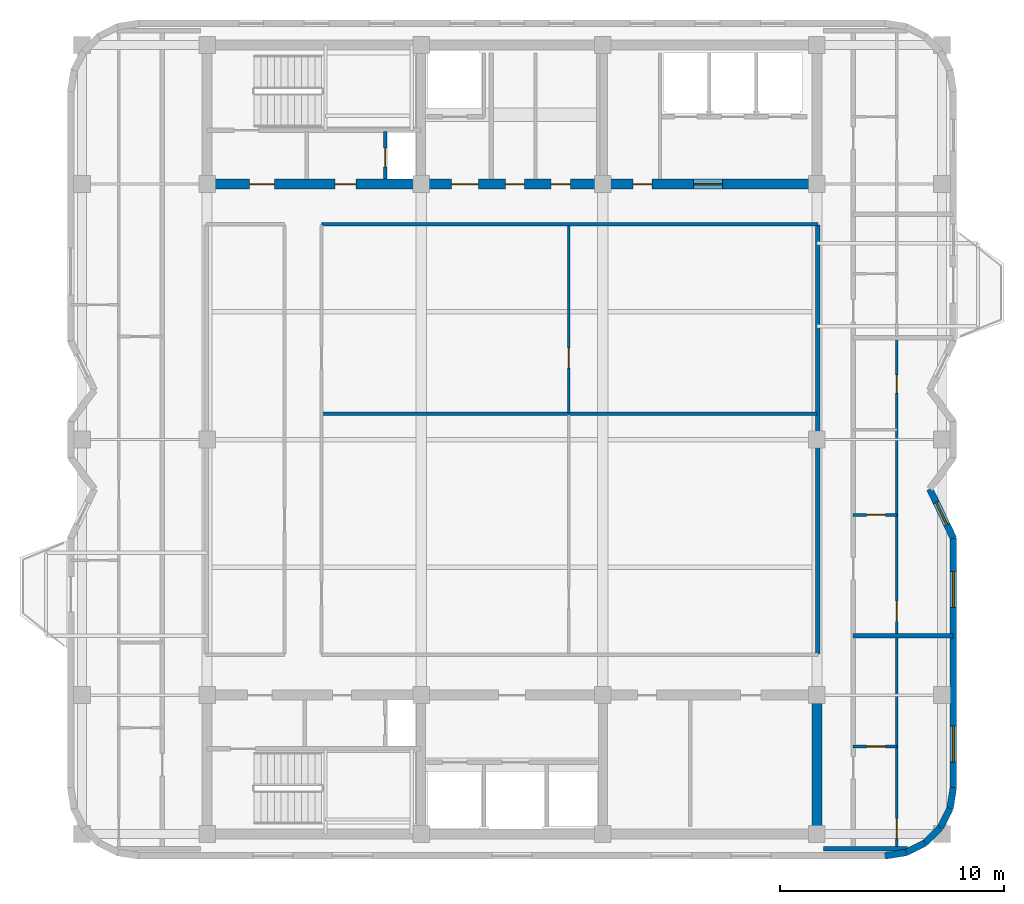
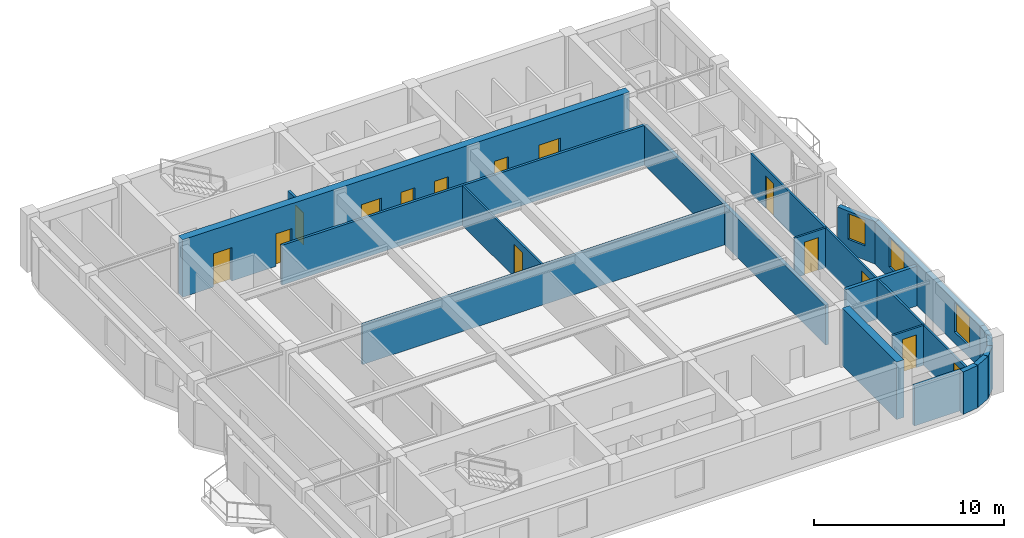
# One storey, part 4 of 8: 20 walls, 14 doors, 3 windows, 17 openings.
"""IFC4 building model written with IfcOpenShell, lengths in metres."""

from ifc_helpers import new_model, si_unit, direction, frame, frame_2d, origin, place, context, subcontext, project, spatial, rectangle, extrude, material, layer, layer_set, type_object, element, fill, save


model = new_model("IFC4")

# Units and contexts
model_context = context("Model", 3, precision=1e-05, world=origin(), true_north=direction((0.0, 1.0)))
body_context = subcontext(model_context, "Body", "Model", "MODEL_VIEW")
ifc_project = project(units=[si_unit("LENGTHUNIT", "METRE"), si_unit("AREAUNIT", "SQUARE_METRE"), si_unit("VOLUMEUNIT", "CUBIC_METRE"), si_unit("PLANEANGLEUNIT", "RADIAN"), si_unit("MASSUNIT", "GRAM", prefix="KILO")], contexts=[model_context])

# Site, building, storey
site_placement = place(None, origin())
site = spatial("IfcSite", under=ifc_project, at=site_placement, CompositionType="ELEMENT")
building_placement = place(site_placement, origin())
building = spatial("IfcBuilding", under=site, at=building_placement, Name="Svetorya Sky Lyceum", CompositionType="ELEMENT")
storey_placement = place(building_placement, frame((0.0, 0.0, 278.699951171875)))
storey = spatial("IfcBuildingStorey", under=building, at=storey_placement, Name="L70", CompositionType="ELEMENT", Elevation=278.699951171875)

# Wall
ifc_material_1 = material(Name="Concrete C50/60", Category="concrete")
ifc_layer_1 = layer(ifc_material_1, 0.449951171875)
ifc_layer_set_1 = layer_set([ifc_layer_1], Name="Concrete C50/60")
wall_type_1 = type_object("IfcWallType", Name="WL-CORE-450", PredefinedType="SHEAR", material=ifc_layer_set_1)
wall_1_placement = place(storey_placement, frame((52.800048828125, 10.824951171875, 0.0), z_axis=(0.0, 0.0, 1.0), x_axis=(0.0, 1.0, 0.0)))
element("IfcWall", 1, at=wall_1_placement, inside=storey, type_object=wall_type_1, Name="L70 SC East Core Shear Wall", PredefinedType="SHEAR", context=body_context, shape_type="SweptSolid", body=[
    extrude(rectangle(XDim=5.75, YDim=0.449951171875, at=frame_2d((2.875, 0.0))), origin(), (0.0, 0.0, 1.0), 3.699951171875),
])

# Wall, openings, doors
wall_2_placement = place(storey_placement, frame((52.800048828125, 39.60009765625, 0.0), z_axis=(0.0, 0.0, 1.0), x_axis=(-1.0, 0.0, 0.0)))
wall_2 = element("IfcWall", 2, at=wall_2_placement, inside=storey, type_object=wall_type_1, Name="L70 NC Inner Core Shear Wall", PredefinedType="SHEAR", context=body_context, shape_type="SweptSolid", body=[
    extrude(rectangle(XDim=27.199951171875, YDim=0.449951171875, at=frame_2d((13.60009765625, 0.0))), origin(), (0.0, 0.0, 1.0), 3.699951171875),
])
opening_1_placement = place(wall_2_placement, frame((24.199951171875, 0.0, 0.0)))
opening_1 = element("IfcOpeningElement", 3, at=opening_1_placement, cuts=wall_2, Name="Opening D-ST1", PredefinedType="OPENING", context=body_context, shape_type="SweptSolid", body=[
    extrude(rectangle(XDim=1.10009765625, YDim=2.14990234375, at=frame_2d((0.550048828125, 1.074951171875))), frame((0.0, 0.23486328125, 0.0), z_axis=(0.0, -1.0, 0.0), x_axis=(1.0, 0.0, 0.0)), (0.0, 0.0, 1.0), 0.469970703125),
])
opening_2_placement = place(wall_2_placement, frame((20.550048828125, 0.0, 0.0)))
opening_2 = element("IfcOpeningElement", 4, at=opening_2_placement, cuts=wall_2, Name="Opening D-CAC1", PredefinedType="OPENING", context=body_context, shape_type="SweptSolid", body=[
    extrude(rectangle(XDim=0.949951171875, YDim=2.10009765625, at=frame_2d((0.47509765625, 1.050048828125))), frame((0.0, 0.23486328125, 0.0), z_axis=(0.0, -1.0, 0.0), x_axis=(1.0, 0.0, 0.0)), (0.0, 0.0, 1.0), 0.469970703125),
])
opening_3_placement = place(wall_2_placement, frame((15.10009765625, 0.0, 0.0)))
opening_3 = element("IfcOpeningElement", 5, at=opening_3_placement, cuts=wall_2, Name="Opening D-FL1", PredefinedType="OPENING", context=body_context, shape_type="SweptSolid", body=[
    extrude(rectangle(XDim=1.199951171875, YDim=2.14990234375, at=frame_2d((0.60009765625, 1.074951171875))), frame((0.0, 0.23486328125, 0.0), z_axis=(0.0, -1.0, 0.0), x_axis=(1.0, 0.0, 0.0)), (0.0, 0.0, 1.0), 0.469970703125),
])
opening_4_placement = place(wall_2_placement, frame((13.050048828125, 0.0, 0.0)))
opening_4 = element("IfcOpeningElement", 6, at=opening_4_placement, cuts=wall_2, Name="Opening D-CWC1", PredefinedType="OPENING", context=body_context, shape_type="SweptSolid", body=[
    extrude(rectangle(XDim=0.85009765625, YDim=2.10009765625, at=frame_2d((0.425048828125, 1.050048828125))), frame((0.0, 0.23486328125, 0.0), z_axis=(0.0, -1.0, 0.0), x_axis=(1.0, 0.0, 0.0)), (0.0, 0.0, 1.0), 0.469970703125),
])
opening_5_placement = place(wall_2_placement, frame((11.0, 0.0, 0.0)))
opening_5 = element("IfcOpeningElement", 7, at=opening_5_placement, cuts=wall_2, Name="Opening D-CWC1", PredefinedType="OPENING", context=body_context, shape_type="SweptSolid", body=[
    extrude(rectangle(XDim=0.85009765625, YDim=2.10009765625, at=frame_2d((0.425048828125, 1.050048828125))), frame((0.0, 0.23486328125, 0.0), z_axis=(0.0, -1.0, 0.0), x_axis=(1.0, 0.0, 0.0)), (0.0, 0.0, 1.0), 0.469970703125),
])
opening_6_placement = place(wall_2_placement, frame((7.35009765625, 0.0, 0.0)))
opening_6 = element("IfcOpeningElement", 8, at=opening_6_placement, cuts=wall_2, Name="Opening D-CWC1", PredefinedType="OPENING", context=body_context, shape_type="SweptSolid", body=[
    extrude(rectangle(XDim=0.85009765625, YDim=2.10009765625, at=frame_2d((0.425048828125, 1.050048828125))), frame((0.0, 0.23486328125, 0.0), z_axis=(0.0, -1.0, 0.0), x_axis=(1.0, 0.0, 0.0)), (0.0, 0.0, 1.0), 0.469970703125),
])
opening_7_placement = place(wall_2_placement, frame((4.199951171875, 0.0, 0.0)))
opening_7 = element("IfcOpeningElement", 9, at=opening_7_placement, cuts=wall_2, Name="Opening D-LB1", PredefinedType="OPENING", context=body_context, shape_type="SweptSolid", body=[
    extrude(rectangle(XDim=1.300048828125, YDim=2.199951171875, at=frame_2d((0.64990234375, 1.10009765625))), frame((0.0, 0.23486328125, 0.0), z_axis=(0.0, -1.0, 0.0), x_axis=(1.0, 0.0, 0.0)), (0.0, 0.0, 1.0), 0.469970703125),
])
ifc_material_2 = material(Name="Fire-rated galvanized steel core accessible WC door", Category="steel")
door_type_1 = type_object("IfcDoorType", Name="DR-CACC-950", OperationType="SINGLE_SWING_LEFT", PredefinedType="DOOR", material=ifc_material_2)
door_1_placement = place(opening_2_placement, origin())
door_1 = element("IfcDoor", 10, at=door_1_placement, inside=storey, type_object=door_type_1, Name="L70 North Core Accessible WC Door", OperationType="SINGLE_SWING_RIGHT", OverallHeight=2.10009765625, OverallWidth=0.949951171875, PredefinedType="DOOR", context=body_context, shape_type="SweptSolid", body=[
    extrude(rectangle(XDim=0.949951171875, YDim=2.10009765625, at=frame_2d((0.47509765625, 1.050048828125))), frame((0.0, 0.02490234375, 0.0), z_axis=(0.0, -1.0, 0.0), x_axis=(1.0, 0.0, 0.0)), (0.0, 0.0, 1.0), 0.050048828125),
])
fill(opening_2, door_1)
ifc_material_3 = material(Name="Fire-rated galvanized steel core service closet door", Category="steel")
door_type_2 = type_object("IfcDoorType", Name="DR-CWET-850", OperationType="SINGLE_SWING_LEFT", PredefinedType="DOOR", material=ifc_material_3)
door_2_placement = place(opening_4_placement, origin())
door_2 = element("IfcDoor", 11, at=door_2_placement, inside=storey, type_object=door_type_2, Name="L70 Upper Linen Door", OperationType="SINGLE_SWING_LEFT", OverallHeight=2.10009765625, OverallWidth=0.85009765625, PredefinedType="DOOR", context=body_context, shape_type="SweptSolid", body=[
    extrude(rectangle(XDim=0.85009765625, YDim=2.10009765625, at=frame_2d((0.425048828125, 1.050048828125))), frame((0.0, 0.02490234375, 0.0), z_axis=(0.0, -1.0, 0.0), x_axis=(1.0, 0.0, 0.0)), (0.0, 0.0, 1.0), 0.050048828125),
])
fill(opening_4, door_2)
door_3_placement = place(opening_5_placement, origin())
door_3 = element("IfcDoor", 12, at=door_3_placement, inside=storey, type_object=door_type_2, Name="L70 Upper Laundry Door", OperationType="SINGLE_SWING_RIGHT", OverallHeight=2.10009765625, OverallWidth=0.85009765625, PredefinedType="DOOR", context=body_context, shape_type="SweptSolid", body=[
    extrude(rectangle(XDim=0.85009765625, YDim=2.10009765625, at=frame_2d((0.425048828125, 1.050048828125))), frame((0.0, 0.02490234375, 0.0), z_axis=(0.0, -1.0, 0.0), x_axis=(1.0, 0.0, 0.0)), (0.0, 0.0, 1.0), 0.050048828125),
])
fill(opening_5, door_3)
door_4_placement = place(opening_6_placement, origin())
door_4 = element("IfcDoor", 13, at=door_4_placement, inside=storey, type_object=door_type_2, Name="L70 High-Zone Utility Room Door", OperationType="SINGLE_SWING_LEFT", OverallHeight=2.10009765625, OverallWidth=0.85009765625, PredefinedType="DOOR", context=body_context, shape_type="SweptSolid", body=[
    extrude(rectangle(XDim=0.85009765625, YDim=2.10009765625, at=frame_2d((0.425048828125, 1.050048828125))), frame((0.0, 0.02490234375, 0.0), z_axis=(0.0, -1.0, 0.0), x_axis=(1.0, 0.0, 0.0)), (0.0, 0.0, 1.0), 0.050048828125),
])
fill(opening_6, door_4)
ifc_material_4 = material(Name="Powder-coated insulated galvanized stair fire door")
door_type_3 = type_object("IfcDoorType", Name="DR-FIRE-1100", OperationType="SINGLE_SWING_LEFT", PredefinedType="DOOR", material=ifc_material_4)
door_5_placement = place(opening_1_placement, origin())
door_5 = element("IfcDoor", 14, at=door_5_placement, inside=storey, type_object=door_type_3, Name="L70 North Stair Airlock Door", OperationType="SINGLE_SWING_LEFT", OverallHeight=2.14990234375, OverallWidth=1.10009765625, PredefinedType="DOOR", context=body_context, shape_type="SweptSolid", body=[
    extrude(rectangle(XDim=1.10009765625, YDim=2.14990234375, at=frame_2d((0.550048828125, 1.074951171875))), frame((0.0, 0.02490234375, 0.0), z_axis=(0.0, -1.0, 0.0), x_axis=(1.0, 0.0, 0.0)), (0.0, 0.0, 1.0), 0.050048828125),
])
fill(opening_1, door_5)
ifc_material_5 = material(Name="Powder-coated insulated galvanized fire door")
door_type_4 = type_object("IfcDoorType", Name="DR-FIRE-1200", OperationType="SINGLE_SWING_LEFT", PredefinedType="DOOR", material=ifc_material_5)
door_6_placement = place(opening_3_placement, origin())
door_6 = element("IfcDoor", 15, at=door_6_placement, inside=storey, type_object=door_type_4, Name="L70 North Firefighting Lift Lobby Door", OperationType="SINGLE_SWING_RIGHT", OverallHeight=2.14990234375, OverallWidth=1.199951171875, PredefinedType="DOOR", context=body_context, shape_type="SweptSolid", body=[
    extrude(rectangle(XDim=1.199951171875, YDim=2.14990234375, at=frame_2d((0.60009765625, 1.074951171875))), frame((0.0, 0.02490234375, 0.0), z_axis=(0.0, -1.0, 0.0), x_axis=(1.0, 0.0, 0.0)), (0.0, 0.0, 1.0), 0.050048828125),
])
fill(opening_3, door_6)
ifc_material_6 = material(Name="Glazed fire-rated aluminium lobby door", Category="aluminium")
door_type_5 = type_object("IfcDoorType", Name="DR-LOB-1300", OperationType="SINGLE_SWING_LEFT", PredefinedType="DOOR", material=ifc_material_6)
door_7_placement = place(opening_7_placement, origin())
door_7 = element("IfcDoor", 16, at=door_7_placement, inside=storey, type_object=door_type_5, Name="L70 North Passenger Lift Lobby Door", OperationType="SINGLE_SWING_LEFT", OverallHeight=2.199951171875, OverallWidth=1.300048828125, PredefinedType="DOOR", context=body_context, shape_type="SweptSolid", body=[
    extrude(rectangle(XDim=1.300048828125, YDim=2.199951171875, at=frame_2d((0.64990234375, 1.10009765625))), frame((0.0, 0.02490234375, 0.0), z_axis=(0.0, -1.0, 0.0), x_axis=(1.0, 0.0, 0.0)), (0.0, 0.0, 1.0), 0.050048828125),
])
fill(opening_7, door_7)

# Walls
ifc_material_7 = material(Name="Putilovo limestone rainscreen on autoclaved cellular masonry", Category="masonry")
ifc_layer_2 = layer(ifc_material_7, 0.300048828125)
ifc_layer_set_2 = layer_set([ifc_layer_2], Name="Putilovo limestone rainscreen on autoclaved cellular masonry")
wall_type_2 = type_object("IfcWallType", Name="WL-EXT-300", PredefinedType="SOLIDWALL", material=ifc_layer_set_2)
wall_3_placement = place(storey_placement, frame((55.840087890625, 9.6298828125, 0.0), z_axis=(0.0, 0.0, 1.0), x_axis=(0.987663181641, 0.156593229835, 0.0)))
element("IfcWall", 17, at=wall_3_placement, inside=storey, type_object=wall_type_2, Name="L70 Limestone Exterior Wall 7M", PredefinedType="SOLIDWALL", context=body_context, shape_type="SweptSolid", body=[
    extrude(rectangle(XDim=0.9541015625, YDim=0.300048828125, at=frame_2d((0.47705078125, 0.0))), origin(), (0.0, 0.0, 1.0), 2.72998046875),
])
for number, where, z_axis, x_axis, name in (
    (18, (56.782470703125, 9.779296875, 0.0), (0.0, 0.0, 1.0), (0.891076589373, 0.453852962833, 0.0), "L70 Limestone Exterior Wall 8M"),
    (19, (57.6328125, 10.21240234375, 0.0), (0.0, 0.0, 1.0), (0.707106781187, 0.707106781187, 0.0), "L70 Limestone Exterior Wall 9M"),
    (20, (58.3076171875, 10.88720703125, 0.0), (0.0, 0.0, 1.0), (0.453852962833, 0.891076589373, 0.0), "L70 Limestone Exterior Wall 10M"),
):
    element("IfcWall", number, at=place(storey_placement, frame(where, z_axis=z_axis, x_axis=x_axis)), inside=storey, type_object=wall_type_2, Name=name, PredefinedType="SOLIDWALL", context=body_context, shape_type="SweptSolid", body=[
        extrude(rectangle(XDim=0.954345703125, YDim=0.300048828125, at=frame_2d((0.47705078125, 0.0))), origin(), (0.0, 0.0, 1.0), 2.72998046875),
    ])
wall_4_placement = place(storey_placement, frame((58.74072265625, 11.737548828125, 0.0), z_axis=(0.0, 0.0, 1.0), x_axis=(0.156343617883, 0.987702725088, 0.0)))
element("IfcWall", 21, at=wall_4_placement, inside=storey, type_object=wall_type_2, Name="L70 Limestone Exterior Wall 11M", PredefinedType="SOLIDWALL", context=body_context, shape_type="SweptSolid", body=[
    extrude(rectangle(XDim=0.9541015625, YDim=0.300048828125, at=frame_2d((0.47705078125, 0.0))), origin(), (0.0, 0.0, 1.0), 2.72998046875),
])

# Wall, openings, windows
wall_5_placement = place(storey_placement, frame((58.889892578125, 12.679931640625, 0.0), z_axis=(0.0, 0.0, 1.0), x_axis=(0.0, 1.0, 0.0)))
wall_5 = element("IfcWall", 22, at=wall_5_placement, inside=storey, type_object=wall_type_2, Name="L70 Limestone Exterior Wall 12M", PredefinedType="SOLIDWALL", context=body_context, shape_type="SweptSolid", body=[
    extrude(rectangle(XDim=11.1201171875, YDim=0.300048828125, at=frame_2d((5.56005859375, 0.0))), origin(), (0.0, 0.0, 1.0), 2.72998046875),
])
opening_8_placement = place(wall_5_placement, frame((1.13671875, 0.0, 0.7099609375)))
opening_8 = element("IfcOpeningElement", 23, at=opening_8_placement, cuts=wall_5, Name="Opening W-R4", PredefinedType="OPENING", context=body_context, shape_type="SweptSolid", body=[
    extrude(rectangle(XDim=1.60009765625, YDim=1.89990234375, at=frame_2d((0.800048828125, 0.949951171875))), frame((0.0, 0.159912109375, 0.0), z_axis=(0.0, -1.0, 0.0), x_axis=(1.0, 0.0, 0.0)), (0.0, 0.0, 1.0), 0.320068359375),
])
opening_9_placement = place(wall_5_placement, frame((8.033203125, 0.0, 0.7099609375)))
opening_9 = element("IfcOpeningElement", 24, at=opening_9_placement, cuts=wall_5, Name="Opening W-R4", PredefinedType="OPENING", context=body_context, shape_type="SweptSolid", body=[
    extrude(rectangle(XDim=1.60009765625, YDim=1.89990234375, at=frame_2d((0.800048828125, 0.949951171875))), frame((0.0, 0.159912109375, 0.0), z_axis=(0.0, -1.0, 0.0), x_axis=(1.0, 0.0, 0.0)), (0.0, 0.0, 1.0), 0.320068359375),
])
ifc_material_8 = material(Name="Thermally broken aluminium frame with triple low-E glazing", Category="aluminium")
window_type_1 = type_object("IfcWindowType", Name="WN-RES-160", PartitioningType="DOUBLE_PANEL_VERTICAL", PredefinedType="WINDOW", material=ifc_material_8)
window_1_placement = place(opening_8_placement, origin())
window_1 = element("IfcWindow", 25, at=window_1_placement, inside=storey, type_object=window_type_1, Name="L70 Facade Window W-R4.12M.1", OverallHeight=1.89990234375, OverallWidth=1.60009765625, PartitioningType="SINGLE_PANEL", PredefinedType="WINDOW", context=body_context, shape_type="SweptSolid", body=[
    extrude(rectangle(XDim=1.60009765625, YDim=1.89990234375, at=frame_2d((0.800048828125, 0.949951171875))), frame((0.0, 0.030029296875, 0.0), z_axis=(0.0, -1.0, 0.0), x_axis=(1.0, 0.0, 0.0)), (0.0, 0.0, 1.0), 0.06005859375),
])
fill(opening_8, window_1)
window_2_placement = place(opening_9_placement, origin())
window_2 = element("IfcWindow", 26, at=window_2_placement, inside=storey, type_object=window_type_1, Name="L70 Facade Window W-R4.12M.2", OverallHeight=1.89990234375, OverallWidth=1.60009765625, PartitioningType="SINGLE_PANEL", PredefinedType="WINDOW", context=body_context, shape_type="SweptSolid", body=[
    extrude(rectangle(XDim=1.60009765625, YDim=1.89990234375, at=frame_2d((0.800048828125, 0.949951171875))), frame((0.0, 0.030029296875, 0.0), z_axis=(0.0, -1.0, 0.0), x_axis=(1.0, 0.0, 0.0)), (0.0, 0.0, 1.0), 0.06005859375),
])
fill(opening_9, window_2)

# Wall, opening, window
wall_6_placement = place(storey_placement, frame((58.889892578125, 23.800048828125, 0.0), z_axis=(0.0, 0.0, 1.0), x_axis=(-0.430672112392, 0.902508466225, 0.0)))
wall_6 = element("IfcWall", 27, at=wall_6_placement, inside=storey, type_object=wall_type_2, Name="L70 Limestone Exterior Wall 13M", PredefinedType="SOLIDWALL", context=body_context, shape_type="SweptSolid", body=[
    extrude(rectangle(XDim=2.4375, YDim=0.300048828125, at=frame_2d((1.21875, 0.0))), origin(), (0.0, 0.0, 1.0), 2.72998046875),
])
opening_10_placement = place(wall_6_placement, frame((0.6689453125, 0.0, 0.919921875)))
opening_10 = element("IfcOpeningElement", 28, at=opening_10_placement, cuts=wall_6, Name="Opening W-R3", PredefinedType="OPENING", context=body_context, shape_type="SweptSolid", body=[
    extrude(rectangle(XDim=1.10009765625, YDim=1.64990234375, at=frame_2d((0.550048828125, 0.824951171875))), frame((0.0, 0.159912109375, 0.0), z_axis=(0.0, -1.0, 0.0), x_axis=(1.0, 0.0, 0.0)), (0.0, 0.0, 1.0), 0.320068359375),
])
window_type_2 = type_object("IfcWindowType", Name="WN-RES-110", PartitioningType="SINGLE_PANEL", PredefinedType="WINDOW", material=ifc_material_8)
window_3_placement = place(opening_10_placement, origin())
window_3 = element("IfcWindow", 29, at=window_3_placement, inside=storey, type_object=window_type_2, Name="L70 Facade Window W-R3.13M.1", OverallHeight=1.64990234375, OverallWidth=1.10009765625, PartitioningType="SINGLE_PANEL", PredefinedType="WINDOW", context=body_context, shape_type="SweptSolid", body=[
    extrude(rectangle(XDim=1.10009765625, YDim=1.64990234375, at=frame_2d((0.550048828125, 0.824951171875))), frame((0.0, 0.030029296875, 0.0), z_axis=(0.0, -1.0, 0.0), x_axis=(1.0, 0.0, 0.0)), (0.0, 0.0, 1.0), 0.06005859375),
])
fill(opening_10, window_3)

# Wall, opening, door
ifc_material_9 = material(Name="Twin-stud galvanized framing with double fireboard", Category="gypsum")
ifc_layer_3 = layer(ifc_material_9, 0.1201171875)
ifc_layer_set_3 = layer_set([ifc_layer_3], Name="Twin-stud galvanized framing with double fireboard")
wall_type_3 = type_object("IfcWallType", Name="WL-PART-120", PredefinedType="PARTITIONING", material=ifc_layer_set_3)
wall_7_placement = place(storey_placement, frame((41.735107421875, 29.388427734375, 0.0), z_axis=(0.0, 0.0, 1.0), x_axis=(0.0, 1.0, 0.0)))
wall_7 = element("IfcWall", 30, at=wall_7_placement, inside=storey, type_object=wall_type_3, Name="L70 Interior Partition OFF-VEM2", PredefinedType="PARTITIONING", context=body_context, shape_type="SweptSolid", body=[
    extrude(rectangle(XDim=8.3515625, YDim=0.1201171875, at=frame_2d((4.17578125, 0.0))), origin(), (0.0, 0.0, 1.0), 2.56005859375),
])
opening_11_placement = place(wall_7_placement, frame((2.0, 0.0, 0.0)))
opening_11 = element("IfcOpeningElement", 31, at=opening_11_placement, cuts=wall_7, Name="Opening D-RM1", PredefinedType="OPENING", context=body_context, shape_type="SweptSolid", body=[
    extrude(rectangle(XDim=0.89990234375, YDim=2.10009765625, at=frame_2d((0.449951171875, 1.050048828125))), frame((0.0, 0.070068359375, 0.0), z_axis=(0.0, -1.0, 0.0), x_axis=(1.0, 0.0, 0.0)), (0.0, 0.0, 1.0), 0.14013671875),
])
ifc_material_10 = material(Name="Lacquered birch veneer internal door")
door_type_6 = type_object("IfcDoorType", Name="DR-INT-900", OperationType="SINGLE_SWING_LEFT", PredefinedType="DOOR", material=ifc_material_10)
door_8_placement = place(opening_11_placement, origin())
door_8 = element("IfcDoor", 32, at=door_8_placement, inside=storey, type_object=door_type_6, Name="L70 East Focus Door", OperationType="SINGLE_SWING_RIGHT", OverallHeight=2.10009765625, OverallWidth=0.89990234375, PredefinedType="DOOR", context=body_context, shape_type="SweptSolid", body=[
    extrude(rectangle(XDim=0.89990234375, YDim=2.10009765625, at=frame_2d((0.449951171875, 1.050048828125))), frame((0.0, 0.02490234375, 0.0), z_axis=(0.0, -1.0, 0.0), x_axis=(1.0, 0.0, 0.0)), (0.0, 0.0, 1.0), 0.050048828125),
])
fill(opening_11, door_8)

wall_8_placement = place(storey_placement, frame((54.419921875, 14.510009765625, 0.0), z_axis=(0.0, 0.0, 1.0), x_axis=(1.0, 0.0, 0.0)))
wall_8 = element("IfcWall", 33, at=wall_8_placement, inside=storey, type_object=wall_type_3, Name="L70 Interior Partition E1-WH1", PredefinedType="PARTITIONING", context=body_context, shape_type="SweptSolid", body=[
    extrude(rectangle(XDim=1.9501953125, YDim=0.1201171875, at=frame_2d((0.97509765625, 0.0))), origin(), (0.0, 0.0, 1.0), 2.56005859375),
])
opening_12_placement = place(wall_8_placement, frame((0.60009765625, 0.0, 0.0)))
opening_12 = element("IfcOpeningElement", 34, at=opening_12_placement, cuts=wall_8, Name="Opening D-BT1", PredefinedType="OPENING", context=body_context, shape_type="SweptSolid", body=[
    extrude(rectangle(XDim=0.85009765625, YDim=2.10009765625, at=frame_2d((0.425048828125, 1.050048828125))), frame((0.0, 0.070068359375, 0.0), z_axis=(0.0, -1.0, 0.0), x_axis=(1.0, 0.0, 0.0)), (0.0, 0.0, 1.0), 0.14013671875),
])
ifc_material_11 = material(Name="Moisture-resistant laminate bathroom door")
door_type_7 = type_object("IfcDoorType", Name="DR-WET-850", OperationType="SINGLE_SWING_LEFT", PredefinedType="DOOR", material=ifc_material_11)
door_9_placement = place(opening_12_placement, origin())
door_9 = element("IfcDoor", 35, at=door_9_placement, inside=storey, type_object=door_type_7, Name="Apartment E1 Bathroom Door", OperationType="SINGLE_SWING_RIGHT", OverallHeight=2.10009765625, OverallWidth=0.85009765625, PredefinedType="DOOR", context=body_context, shape_type="SweptSolid", body=[
    extrude(rectangle(XDim=0.85009765625, YDim=2.10009765625, at=frame_2d((0.425048828125, 1.050048828125))), frame((0.0, 0.02490234375, 0.0), z_axis=(0.0, -1.0, 0.0), x_axis=(1.0, 0.0, 0.0)), (0.0, 0.0, 1.0), 0.050048828125),
])
fill(opening_12, door_9)

wall_9_placement = place(storey_placement, frame((56.3701171875, 9.989990234375, 0.0), z_axis=(0.0, 0.0, 1.0), x_axis=(0.0, 1.0, 0.0)))
wall_9 = element("IfcWall", 36, at=wall_9_placement, inside=storey, type_object=wall_type_3, Name="L70 Interior Partition E1-WV", PredefinedType="PARTITIONING", context=body_context, shape_type="SweptSolid", body=[
    extrude(rectangle(XDim=9.409912109375, YDim=0.1201171875, at=frame_2d((4.705078125, 0.0))), origin(), (0.0, 0.0, 1.0), 2.56005859375),
])
opening_13_placement = place(wall_9_placement, frame((0.409912109375, 0.0, 0.0)))
opening_13 = element("IfcOpeningElement", 37, at=opening_13_placement, cuts=wall_9, Name="Opening D-RM1", PredefinedType="OPENING", context=body_context, shape_type="SweptSolid", body=[
    extrude(rectangle(XDim=0.89990234375, YDim=2.10009765625, at=frame_2d((0.449951171875, 1.050048828125))), frame((0.0, 0.070068359375, 0.0), z_axis=(0.0, -1.0, 0.0), x_axis=(1.0, 0.0, 0.0)), (0.0, 0.0, 1.0), 0.14013671875),
])
door_10_placement = place(opening_13_placement, origin())
door_10 = element("IfcDoor", 38, at=door_10_placement, inside=storey, type_object=door_type_6, Name="Apartment E1 Living Door", OperationType="SINGLE_SWING_LEFT", OverallHeight=2.10009765625, OverallWidth=0.89990234375, PredefinedType="DOOR", context=body_context, shape_type="SweptSolid", body=[
    extrude(rectangle(XDim=0.89990234375, YDim=2.10009765625, at=frame_2d((0.449951171875, 1.050048828125))), frame((0.0, 0.02490234375, 0.0), z_axis=(0.0, -1.0, 0.0), x_axis=(1.0, 0.0, 0.0)), (0.0, 0.0, 1.0), 0.050048828125),
])
fill(opening_13, door_10)

wall_10_placement = place(storey_placement, frame((54.419921875, 24.840087890625, 0.0), z_axis=(0.0, 0.0, 1.0), x_axis=(1.0, 0.0, 0.0)))
wall_10 = element("IfcWall", 39, at=wall_10_placement, inside=storey, type_object=wall_type_3, Name="L70 Interior Partition E2-WH1", PredefinedType="PARTITIONING", context=body_context, shape_type="SweptSolid", body=[
    extrude(rectangle(XDim=1.9501953125, YDim=0.1201171875, at=frame_2d((0.97509765625, 0.0))), origin(), (0.0, 0.0, 1.0), 2.56005859375),
])
opening_14_placement = place(wall_10_placement, frame((0.60009765625, 0.0, 0.0)))
opening_14 = element("IfcOpeningElement", 40, at=opening_14_placement, cuts=wall_10, Name="Opening D-BT1", PredefinedType="OPENING", context=body_context, shape_type="SweptSolid", body=[
    extrude(rectangle(XDim=0.85009765625, YDim=2.10009765625, at=frame_2d((0.425048828125, 1.050048828125))), frame((0.0, 0.070068359375, 0.0), z_axis=(0.0, -1.0, 0.0), x_axis=(1.0, 0.0, 0.0)), (0.0, 0.0, 1.0), 0.14013671875),
])
door_11_placement = place(opening_14_placement, origin())
door_11 = element("IfcDoor", 41, at=door_11_placement, inside=storey, type_object=door_type_7, Name="Apartment E2 Bathroom Door", OperationType="SINGLE_SWING_LEFT", OverallHeight=2.10009765625, OverallWidth=0.85009765625, PredefinedType="DOOR", context=body_context, shape_type="SweptSolid", body=[
    extrude(rectangle(XDim=0.85009765625, YDim=2.10009765625, at=frame_2d((0.425048828125, 1.050048828125))), frame((0.0, 0.02490234375, 0.0), z_axis=(0.0, -1.0, 0.0), x_axis=(1.0, 0.0, 0.0)), (0.0, 0.0, 1.0), 0.050048828125),
])
fill(opening_14, door_11)

# Wall, openings, doors
wall_11_placement = place(storey_placement, frame((56.3701171875, 19.47998046875, 0.0), z_axis=(0.0, 0.0, 1.0), x_axis=(0.0, 1.0, 0.0)))
wall_11 = element("IfcWall", 42, at=wall_11_placement, inside=storey, type_object=wall_type_3, Name="L70 Interior Partition E2-WV", PredefinedType="PARTITIONING", context=body_context, shape_type="SweptSolid", body=[
    extrude(rectangle(XDim=13.22998046875, YDim=0.1201171875, at=frame_2d((6.614990234375, 0.0))), origin(), (0.0, 0.0, 1.0), 2.56005859375),
])
opening_15_placement = place(wall_11_placement, frame((0.610107421875, 0.0, 0.0)))
opening_15 = element("IfcOpeningElement", 43, at=opening_15_placement, cuts=wall_11, Name="Opening D-RM1", PredefinedType="OPENING", context=body_context, shape_type="SweptSolid", body=[
    extrude(rectangle(XDim=0.89990234375, YDim=2.10009765625, at=frame_2d((0.449951171875, 1.050048828125))), frame((0.0, 0.070068359375, 0.0), z_axis=(0.0, -1.0, 0.0), x_axis=(1.0, 0.0, 0.0)), (0.0, 0.0, 1.0), 0.14013671875),
])
opening_16_placement = place(wall_11_placement, frame((10.7900390625, 0.0, 0.0)))
opening_16 = element("IfcOpeningElement", 44, at=opening_16_placement, cuts=wall_11, Name="Opening D-BT2", PredefinedType="OPENING", context=body_context, shape_type="SweptSolid", body=[
    extrude(rectangle(XDim=0.820068359375, YDim=2.080078125, at=frame_2d((0.41015625, 1.0400390625))), frame((0.0, 0.070068359375, 0.0), z_axis=(0.0, -1.0, 0.0), x_axis=(1.0, 0.0, 0.0)), (0.0, 0.0, 1.0), 0.14013671875),
])
door_12_placement = place(opening_15_placement, origin())
door_12 = element("IfcDoor", 45, at=door_12_placement, inside=storey, type_object=door_type_6, Name="Apartment E2 Living Door", OperationType="SINGLE_SWING_RIGHT", OverallHeight=2.10009765625, OverallWidth=0.89990234375, PredefinedType="DOOR", context=body_context, shape_type="SweptSolid", body=[
    extrude(rectangle(XDim=0.89990234375, YDim=2.10009765625, at=frame_2d((0.449951171875, 1.050048828125))), frame((0.0, 0.02490234375, 0.0), z_axis=(0.0, -1.0, 0.0), x_axis=(1.0, 0.0, 0.0)), (0.0, 0.0, 1.0), 0.050048828125),
])
fill(opening_15, door_12)
ifc_material_12 = material(Name="Compact moisture-resistant laminate closet door")
door_type_8 = type_object("IfcDoorType", Name="DR-WET-820", OperationType="SINGLE_SWING_LEFT", PredefinedType="DOOR", material=ifc_material_12)
door_13_placement = place(opening_16_placement, origin())
door_13 = element("IfcDoor", 46, at=door_13_placement, inside=storey, type_object=door_type_8, Name="Apartment E2 Study Door", OperationType="SINGLE_SWING_LEFT", OverallHeight=2.080078125, OverallWidth=0.820068359375, PredefinedType="DOOR", context=body_context, shape_type="SweptSolid", body=[
    extrude(rectangle(XDim=0.820068359375, YDim=2.080078125, at=frame_2d((0.41015625, 1.0400390625))), frame((0.0, 0.02490234375, 0.0), z_axis=(0.0, -1.0, 0.0), x_axis=(1.0, 0.0, 0.0)), (0.0, 0.0, 1.0), 0.050048828125),
])
fill(opening_16, door_13)

# Wall, opening, door
ifc_material_13 = material(Name="Autoclaved cellular masonry blockwork with acoustic render", Category="masonry")
ifc_layer_4 = layer(ifc_material_13, 0.14990234375)
ifc_layer_set_4 = layer_set([ifc_layer_4], Name="Autoclaved cellular masonry blockwork with acoustic render")
wall_type_4 = type_object("IfcWallType", Name="WL-PART-150", PredefinedType="PARTITIONING", material=ifc_layer_set_4)
wall_12_placement = place(storey_placement, frame((33.550048828125, 39.820068359375, 0.0), z_axis=(0.0, 0.0, 1.0), x_axis=(0.0, 1.0, 0.0)))
wall_12 = element("IfcWall", 47, at=wall_12_placement, inside=storey, type_object=wall_type_4, Name="L70 Interior Partition NC-RSRW", PredefinedType="PARTITIONING", context=body_context, shape_type="SweptSolid", body=[
    extrude(rectangle(XDim=2.1298828125, YDim=0.14990234375, at=frame_2d((1.06494140625, 0.0))), origin(), (0.0, 0.0, 1.0), 2.56005859375),
])
opening_17_placement = place(wall_12_placement, frame((0.550048828125, 0.0, 0.0)))
opening_17 = element("IfcOpeningElement", 48, at=opening_17_placement, cuts=wall_12, Name="Opening D-SH1", PredefinedType="OPENING", context=body_context, shape_type="SweptSolid", body=[
    extrude(rectangle(XDim=0.85009765625, YDim=2.050048828125, at=frame_2d((0.425048828125, 1.02490234375))), frame((0.0, 0.0849609375, 0.0), z_axis=(0.0, -1.0, 0.0), x_axis=(1.0, 0.0, 0.0)), (0.0, 0.0, 1.0), 0.169921875),
])
ifc_material_14 = material(Name="Insulated galvanized riser inspection fire door")
door_type_9 = type_object("IfcDoorType", Name="DR-SHFT-850", OperationType="SINGLE_SWING_LEFT", PredefinedType="TRAPDOOR", material=ifc_material_14)
door_14_placement = place(opening_17_placement, origin())
door_14 = element("IfcDoor", 49, at=door_14_placement, inside=storey, type_object=door_type_9, Name="L70 North Riser Access Door", OperationType="SINGLE_SWING_LEFT", OverallHeight=2.050048828125, OverallWidth=0.85009765625, PredefinedType="TRAPDOOR", context=body_context, shape_type="SweptSolid", body=[
    extrude(rectangle(XDim=0.85009765625, YDim=2.050048828125, at=frame_2d((0.425048828125, 1.02490234375))), frame((0.0, 0.02490234375, 0.0), z_axis=(0.0, -1.0, 0.0), x_axis=(1.0, 0.0, 0.0)), (0.0, 0.0, 1.0), 0.050048828125),
])
fill(opening_17, door_14)

# Walls
wall_13_placement = place(storey_placement, frame((30.699951171875, 37.800048828125, 0.0), z_axis=(0.0, 0.0, 1.0), x_axis=(1.0, 0.0, 0.0)))
element("IfcWall", 50, at=wall_13_placement, inside=storey, type_object=wall_type_4, Name="L70 Interior Partition OFF-CN-E", PredefinedType="PARTITIONING", context=body_context, shape_type="SweptSolid", body=[
    extrude(rectangle(XDim=22.150146484375, YDim=0.14990234375, at=frame_2d((11.0751953125, 0.0))), origin(), (0.0, 0.0, 1.0), 2.56005859375),
])
wall_14_placement = place(storey_placement, frame((30.72998046875, 29.348388671875, 0.0), z_axis=(0.0, 0.0, 1.0), x_axis=(1.0, 0.0, 0.0)))
element("IfcWall", 51, at=wall_14_placement, inside=storey, type_object=wall_type_4, Name="L70 Interior Partition OFF-HE", PredefinedType="PARTITIONING", context=body_context, shape_type="SweptSolid", body=[
    extrude(rectangle(XDim=22.070068359375, YDim=0.14990234375, at=frame_2d((11.03515625, 0.0))), origin(), (0.0, 0.0, 1.0), 2.56005859375),
])
ifc_material_15 = material(Name="Autoclaved cellular masonry blockwork with gypsum plaster", Category="masonry")
ifc_layer_5 = layer(ifc_material_15, 0.199951171875)
ifc_layer_set_5 = layer_set([ifc_layer_5], Name="Autoclaved cellular masonry blockwork with gypsum plaster")
wall_type_5 = type_object("IfcWallType", Name="WL-PART-200", PredefinedType="PARTITIONING", material=ifc_layer_set_5)
wall_15_placement = place(storey_placement, frame((52.85009765625, 18.6298828125, 0.0), z_axis=(0.0, 0.0, 1.0), x_axis=(0.0, 1.0, 0.0)))
element("IfcWall", 52, at=wall_15_placement, inside=storey, type_object=wall_type_5, Name="L70 Interior Partition E-CEN-SEP", PredefinedType="PARTITIONING", context=body_context, shape_type="SweptSolid", body=[
    extrude(rectangle(XDim=19.14013671875, YDim=0.199951171875, at=frame_2d((9.570068359375, 0.0))), origin(), (0.0, 0.0, 1.0), 2.56005859375),
])
wall_16_placement = place(storey_placement, frame((54.419921875, 19.43994140625, 0.0), z_axis=(0.0, 0.0, 1.0), x_axis=(1.0, 0.0, 0.0)))
element("IfcWall", 53, at=wall_16_placement, inside=storey, type_object=wall_type_5, Name="L70 Interior Partition E-PARTY-1", PredefinedType="PARTITIONING", context=body_context, shape_type="SweptSolid", body=[
    extrude(rectangle(XDim=4.4501953125, YDim=0.199951171875, at=frame_2d((2.22509765625, 0.0))), origin(), (0.0, 0.0, 1.0), 2.56005859375),
])
wall_17_placement = place(storey_placement, frame((53.10009765625, 9.949951171875, 0.0), z_axis=(0.0, 0.0, 1.0), x_axis=(1.0, 0.0, 0.0)))
element("IfcWall", 54, at=wall_17_placement, inside=storey, type_object=wall_type_5, Name="L70 Interior Partition E-CAP-S", PredefinedType="PARTITIONING", context=body_context, shape_type="SweptSolid", body=[
    extrude(rectangle(XDim=3.75390625, YDim=0.199951171875, at=frame_2d((1.876953125, 0.0))), origin(), (0.0, 0.0, 1.0), 2.56005859375),
])

save(model, "model.ifc")
